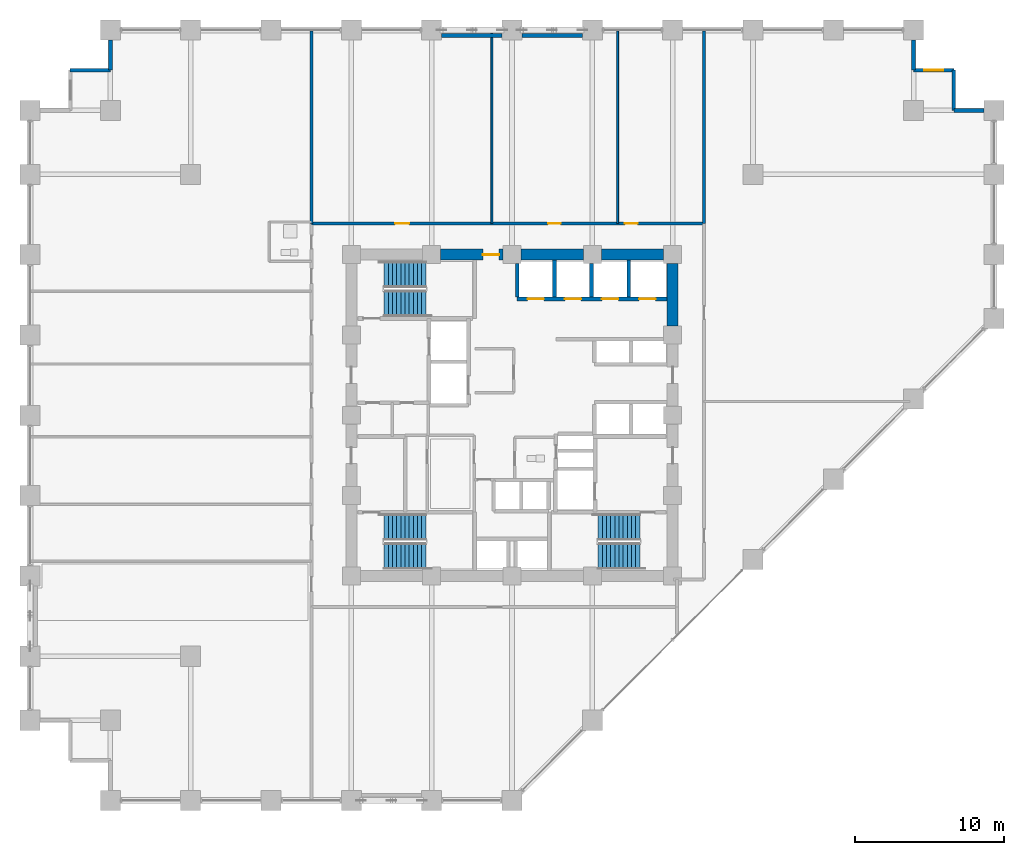
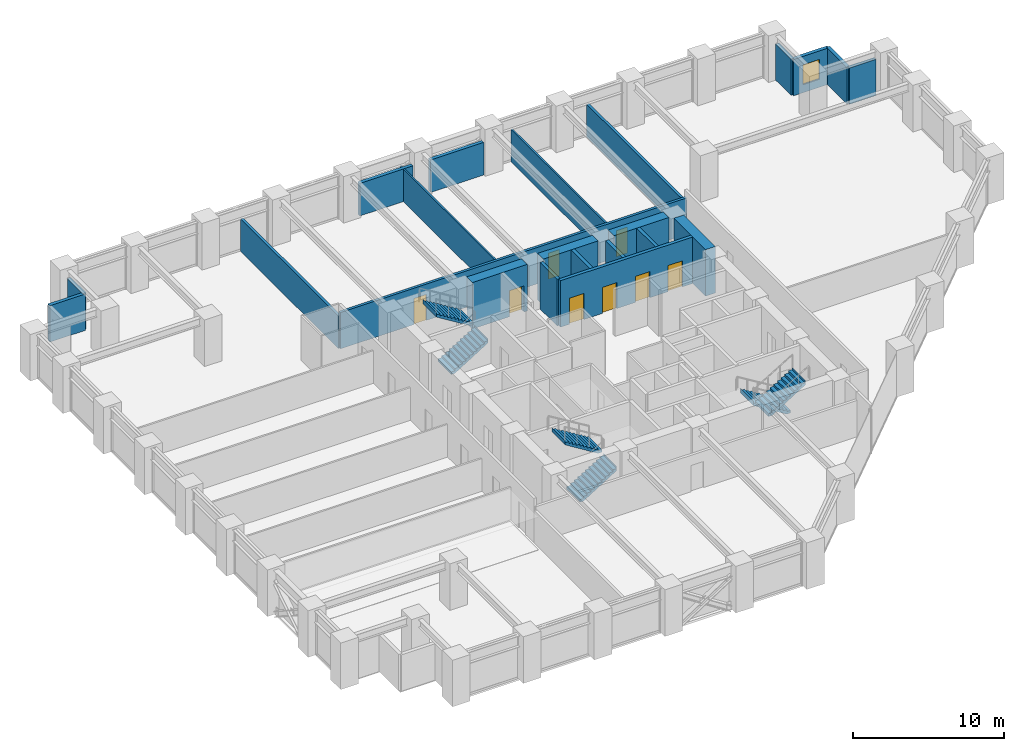
# One storey, part 22 of 25: 22 walls, 8 doors, 6 stair flights, 1 window, 9 openings, 3 elements without a shape of their own.
"""IFC4 building model written with IfcOpenShell, lengths in metres."""

from ifc_helpers import new_model, si_unit, direction, frame, frame_2d, origin, place, context, subcontext, project, spatial, polyline, rectangle, outline, extrude, material, layer, layer_set, type_object, element, fill, aggregate, save


model = new_model("IFC4")

# Units and contexts
model_context = context("Model", 3, precision=1e-05, world=origin(), true_north=direction((0.0, 1.0)))
body_context = subcontext(model_context, "Body", "Model", "MODEL_VIEW")
ifc_project = project(units=[si_unit("LENGTHUNIT", "METRE"), si_unit("AREAUNIT", "SQUARE_METRE"), si_unit("VOLUMEUNIT", "CUBIC_METRE"), si_unit("PLANEANGLEUNIT", "RADIAN"), si_unit("MASSUNIT", "GRAM", prefix="KILO")], contexts=[model_context])

# Site, building, storey
site_placement = place(None, origin())
site = spatial("IfcSite", under=ifc_project, at=site_placement, CompositionType="ELEMENT")
building_placement = place(site_placement, origin())
building = spatial("IfcBuilding", under=site, at=building_placement, Name="Surkhivell Harbour Commons", CompositionType="ELEMENT")
storey_placement = place(building_placement, frame((0.0, 0.0, 41.25)))
storey = spatial("IfcBuildingStorey", under=building, at=storey_placement, Name="L10", CompositionType="ELEMENT", Elevation=41.25)

# Wall, opening, door
ifc_material_1 = material(Name="Concrete C60/75", Category="concrete")
ifc_layer_1 = layer(ifc_material_1, 0.75)
ifc_layer_set_1 = layer_set([ifc_layer_1], Name="Concrete C60/75")
wall_type_1 = type_object("IfcWallType", Name="WAL-CORE-750", PredefinedType="SHEAR", material=ifc_layer_set_1)
wall_1_placement = place(storey_placement, frame((-4.7900390625, 10.800048828125, 0.0), z_axis=(0.0, 0.0, 1.0), x_axis=(1.0, 0.0, 0.0)))
wall_1 = element("IfcWall", 1, at=wall_1_placement, inside=storey, type_object=wall_type_1, Name="L10 Core Shear Wall North 2", PredefinedType="SHEAR", context=body_context, shape_type="SweptSolid", body=[
    extrude(rectangle(XDim=4.179931640625, YDim=0.75, at=frame_2d((2.08984375, 0.0))), origin(), (0.0, 0.0, 1.0), 3.75),
])
opening_1_placement = place(wall_1_placement, frame((2.830078125, 0.0, 0.0)))
opening_1 = element("IfcOpeningElement", 2, at=opening_1_placement, cuts=wall_1, Name="Opening ID-2", PredefinedType="OPENING", context=body_context, shape_type="SweptSolid", body=[
    extrude(rectangle(XDim=1.10009765625, YDim=2.10009765625, at=frame_2d((0.550048828125, 1.050048828125))), frame((0.0, 0.385009765625, 0.0), z_axis=(0.0, -1.0, 0.0), x_axis=(1.0, 0.0, 0.0)), (0.0, 0.0, 1.0), 0.77001953125),
])
ifc_material_2 = material(Name="Hardwood-veneered fire-rated door leaf", Category="wood")
door_type_1 = type_object("IfcDoorType", Name="DOR-FD60-1100", OperationType="NOTDEFINED", PredefinedType="DOOR", material=ifc_material_2)
door_1_placement = place(opening_1_placement, origin())
door_1 = element("IfcDoor", 3, at=door_1_placement, inside=storey, type_object=door_type_1, Name="L10 Central Core Lift Hall North Corridor Door", OperationType="SINGLE_SWING_LEFT", OverallHeight=2.10009765625, OverallWidth=1.10009765625, PredefinedType="DOOR", context=body_context, shape_type="SweptSolid", body=[
    extrude(rectangle(XDim=1.10009765625, YDim=2.10009765625, at=frame_2d((0.550048828125, 1.050048828125))), frame((0.0, 0.02490234375, 0.0), z_axis=(0.0, -1.0, 0.0), x_axis=(1.0, 0.0, 0.0)), (0.0, 0.0, 1.0), 0.050048828125),
])
fill(opening_1, door_1)

# Walls
for number, where, z_axis, x_axis, name in (
    (4, (0.610107421875, 10.800048828125, 0.0), (0.0, 0.0, 1.0), (1.0, 0.0, 0.0), "L10 Core Shear Wall North 3"),
    (5, (6.010009765625, 10.800048828125, 0.0), (0.0, 0.0, 1.0), (1.0, 0.0, 0.0), "L10 Core Shear Wall North 4"),
    (6, (10.800048828125, 6.010009765625, 0.0), (0.0, 0.0, 1.0), (0.0, 1.0, 0.0), "L10 Core Shear Wall East 4"),
):
    element("IfcWall", number, at=place(storey_placement, frame(where, z_axis=z_axis, x_axis=x_axis)), inside=storey, type_object=wall_type_1, Name=name, PredefinedType="SHEAR", context=body_context, shape_type="SweptSolid", body=[
        extrude(rectangle(XDim=4.179931640625, YDim=0.75, at=frame_2d((2.08984375, 0.0))), origin(), (0.0, 0.0, 1.0), 3.75),
    ])
ifc_material_3 = material(Name="Pale-metal insulated precast concrete C45/55", Category="concrete")
ifc_layer_2 = layer(ifc_material_3, 0.260009765625)
ifc_layer_set_2 = layer_set([ifc_layer_2], Name="Pale-metal insulated precast concrete C45/55")
wall_type_2 = type_object("IfcWallType", Name="WAL-EXT-MTL260", PredefinedType="STANDARD", material=ifc_layer_set_2)
wall_2_placement = place(storey_placement, frame((31.72705078125, 20.5, 0.0), z_axis=(0.0, 0.0, 1.0), x_axis=(-1.0, 0.0, 0.0)))
element("IfcWall", 7, at=wall_2_placement, inside=storey, type_object=wall_type_2, Name="L10 Serrated Corner Facade Wall 03", PredefinedType="STANDARD", context=body_context, shape_type="SweptSolid", body=[
    extrude(rectangle(XDim=2.027099609375, YDim=0.260009765625, at=frame_2d((1.013671875, 0.0))), origin(), (0.0, 0.0, 1.0), 2.929931640625),
])
wall_3_placement = place(storey_placement, frame((29.699951171875, 20.5, 0.0), z_axis=(0.0, 0.0, 1.0), x_axis=(0.0, 1.0, 0.0)))
element("IfcWall", 8, at=wall_3_placement, inside=storey, type_object=wall_type_2, Name="L10 Serrated Corner Facade Wall 04", PredefinedType="STANDARD", context=body_context, shape_type="SweptSolid", body=[
    extrude(rectangle(XDim=2.699951171875, YDim=0.260009765625, at=frame_2d((1.35009765625, 0.0))), origin(), (0.0, 0.0, 1.0), 2.929931640625),
])

# Wall, opening, window
wall_4_placement = place(storey_placement, frame((29.699951171875, 23.199951171875, 0.0), z_axis=(0.0, 0.0, 1.0), x_axis=(-1.0, 0.0, 0.0)))
wall_4 = element("IfcWall", 9, at=wall_4_placement, inside=storey, type_object=wall_type_2, Name="L10 Serrated Corner Facade Wall 05", PredefinedType="STANDARD", context=body_context, shape_type="SweptSolid", body=[
    extrude(rectangle(XDim=2.699951171875, YDim=0.260009765625, at=frame_2d((1.35009765625, 0.0))), origin(), (0.0, 0.0, 1.0), 2.929931640625),
])
opening_2_placement = place(wall_4_placement, frame((0.72509765625, 0.0, 0.64990234375)))
opening_2 = element("IfcOpeningElement", 10, at=opening_2_placement, cuts=wall_4, Name="Opening WN-09", PredefinedType="OPENING", context=body_context, shape_type="SweptSolid", body=[
    extrude(rectangle(XDim=1.25, YDim=1.60009765625, at=frame_2d((0.625, 0.800048828125))), frame((0.0, 0.139892578125, 0.0), z_axis=(0.0, -1.0, 0.0), x_axis=(1.0, 0.0, 0.0)), (0.0, 0.0, 1.0), 0.280029296875),
])
ifc_material_4 = material(Name="Thermal-break aluminium frame and double low-E glazing", Category="aluminium")
window_type = type_object("IfcWindowType", Name="WIN-SER-1250x1600", PartitioningType="SINGLE_PANEL", PredefinedType="WINDOW", material=ifc_material_4)
window_placement = place(opening_2_placement, origin())
window = element("IfcWindow", 11, at=window_placement, inside=storey, type_object=window_type, Name="L10 Serrated Alcove Window 05", OverallHeight=1.60009765625, OverallWidth=1.25, PartitioningType="SINGLE_PANEL", PredefinedType="WINDOW", context=body_context, shape_type="SweptSolid", body=[
    extrude(rectangle(XDim=1.25, YDim=1.60009765625, at=frame_2d((0.625, 0.800048828125))), frame((0.0, 0.030029296875, 0.0), z_axis=(0.0, -1.0, 0.0), x_axis=(1.0, 0.0, 0.0)), (0.0, 0.0, 1.0), 0.06005859375),
])
fill(opening_2, window)

# Walls
wall_5_placement = place(storey_placement, frame((27.0, 23.199951171875, 0.0), z_axis=(0.0, 0.0, 1.0), x_axis=(0.0, 1.0, 0.0)))
element("IfcWall", 12, at=wall_5_placement, inside=storey, type_object=wall_type_2, Name="L10 Serrated Corner Facade Wall 06", PredefinedType="STANDARD", context=body_context, shape_type="SweptSolid", body=[
    extrude(rectangle(XDim=2.027099609375, YDim=0.260009765625, at=frame_2d((1.013671875, 0.0))), origin(), (0.0, 0.0, 1.0), 2.929931640625),
])
for number, where, z_axis, x_axis, name in (
    (13, (-0.673095703125, 25.5400390625, 0.0), (0.0, 0.0, 1.0), (-1.0, 0.0, 0.0), "L10 Braced-Bay Insulated Spandrel Backing N"),
    (14, (4.72705078125, 25.5400390625, 0.0), (0.0, 0.0, 1.0), (-1.0, 0.0, 0.0), "L10 Braced-Bay Insulated Spandrel Backing N2"),
):
    element("IfcWall", number, at=place(storey_placement, frame(where, z_axis=z_axis, x_axis=x_axis)), inside=storey, type_object=wall_type_2, Name=name, PredefinedType="STANDARD", context=body_context, shape_type="SweptSolid", body=[
        extrude(rectangle(XDim=4.053955078125, YDim=0.260009765625, at=frame_2d((2.02685546875, 0.0))), origin(), (0.0, 0.0, 1.0), 2.62890625),
    ])
wall_6_placement = place(storey_placement, frame((-27.0, 25.22705078125, 0.0), z_axis=(0.0, 0.0, 1.0), x_axis=(0.0, -1.0, 0.0)))
element("IfcWall", 15, at=wall_6_placement, inside=storey, type_object=wall_type_2, Name="L10 Serrated Corner Facade Wall 08", PredefinedType="STANDARD", context=body_context, shape_type="SweptSolid", body=[
    extrude(rectangle(XDim=2.027099609375, YDim=0.260009765625, at=frame_2d((1.013671875, 0.0))), origin(), (0.0, 0.0, 1.0), 2.929931640625),
])
wall_7_placement = place(storey_placement, frame((-27.0, 23.199951171875, 0.0), z_axis=(0.0, 0.0, 1.0), x_axis=(-1.0, 0.0, 0.0)))
element("IfcWall", 16, at=wall_7_placement, inside=storey, type_object=wall_type_2, Name="L10 Serrated Corner Facade Wall 09", PredefinedType="STANDARD", context=body_context, shape_type="SweptSolid", body=[
    extrude(rectangle(XDim=2.699951171875, YDim=0.260009765625, at=frame_2d((1.35009765625, 0.0))), origin(), (0.0, 0.0, 1.0), 2.929931640625),
])
ifc_material_5 = material(Name="Moisture-resistant acoustic stud partition", Category="other")
ifc_layer_3 = layer(ifc_material_5, 0.125)
ifc_layer_set_3 = layer_set([ifc_layer_3], Name="Moisture-resistant acoustic stud partition")
wall_type_3 = type_object("IfcWallType", Name="WAL-INT-125", PredefinedType="PARTITIONING", material=ifc_layer_set_3)
for number, where, z_axis, x_axis, name in (
    (17, (-1.35009765625, 12.89990234375, 0.0), (0.0, 0.0, 1.0), (0.0, 1.0, 0.0), "L10 North Partition P1"),
    (18, (7.10009765625, 12.89990234375, 0.0), (0.0, 0.0, 1.0), (0.0, 1.0, 0.0), "L10 North Partition P2"),
):
    element("IfcWall", number, at=place(storey_placement, frame(where, z_axis=z_axis, x_axis=x_axis)), inside=storey, type_object=wall_type_3, Name=name, PredefinedType="PARTITIONING", context=body_context, shape_type="SweptSolid", body=[
        extrude(rectangle(XDim=12.940185546875, YDim=0.125, at=frame_2d((6.47021484375, 0.0))), origin(), (0.0, 0.0, 1.0), 2.62890625),
    ])
ifc_material_6 = material(Name="Autoclaved aerated concrete blockwork and fire plaster", Category="masonry")
ifc_layer_4 = layer(ifc_material_6, 0.199951171875)
ifc_layer_set_4 = layer_set([ifc_layer_4], Name="Autoclaved aerated concrete blockwork and fire plaster")
wall_type_4 = type_object("IfcWallType", Name="WAL-INT-200", PredefinedType="PARTITIONING", material=ifc_layer_set_4)
for number, where, z_axis, x_axis, name in (
    (19, (12.89990234375, 12.89990234375, 0.0), (0.0, 0.0, 1.0), (0.0, 1.0, 0.0), "L10 North-East Wing Corner Divider"),
    (20, (-13.47998046875, 12.89990234375, 0.0), (0.0, 0.0, 1.0), (0.0, 1.0, 0.0), "L10 North-West Wing Corner Divider"),
):
    element("IfcWall", number, at=place(storey_placement, frame(where, z_axis=z_axis, x_axis=x_axis)), inside=storey, type_object=wall_type_4, Name=name, PredefinedType="PARTITIONING", context=body_context, shape_type="SweptSolid", body=[
        extrude(rectangle(XDim=12.940185546875, YDim=0.199951171875, at=frame_2d((6.47021484375, 0.0))), origin(), (0.0, 0.0, 1.0), 2.62890625),
    ])

# Wall, openings, doors
wall_8_placement = place(storey_placement, frame((-13.47998046875, 12.89990234375, 0.0), z_axis=(0.0, 0.0, 1.0), x_axis=(1.0, 0.0, 0.0)))
wall_8 = element("IfcWall", 21, at=wall_8_placement, inside=storey, type_object=wall_type_4, Name="L10 Corridor North Wall", PredefinedType="PARTITIONING", context=body_context, shape_type="SweptSolid", body=[
    extrude(rectangle(XDim=26.3798828125, YDim=0.199951171875, at=frame_2d((13.18994140625, 0.0))), origin(), (0.0, 0.0, 1.0), 2.929931640625),
])
opening_3_placement = place(wall_8_placement, frame((5.614990234375, 0.0, 0.0)))
opening_3 = element("IfcOpeningElement", 22, at=opening_3_placement, cuts=wall_8, Name="Opening ID-4", PredefinedType="OPENING", context=body_context, shape_type="SweptSolid", body=[
    extrude(rectangle(XDim=0.949951171875, YDim=2.10009765625, at=frame_2d((0.47509765625, 1.050048828125))), frame((0.0, 0.10986328125, 0.0), z_axis=(0.0, -1.0, 0.0), x_axis=(1.0, 0.0, 0.0)), (0.0, 0.0, 1.0), 0.219970703125),
])
opening_4_placement = place(wall_8_placement, frame((15.905029296875, 0.0, 0.0)))
opening_4 = element("IfcOpeningElement", 23, at=opening_4_placement, cuts=wall_8, Name="Opening ID-6", PredefinedType="OPENING", context=body_context, shape_type="SweptSolid", body=[
    extrude(rectangle(XDim=0.85009765625, YDim=2.10009765625, at=frame_2d((0.425048828125, 1.050048828125))), frame((0.0, 0.10986328125, 0.0), z_axis=(0.0, -1.0, 0.0), x_axis=(1.0, 0.0, 0.0)), (0.0, 0.0, 1.0), 0.219970703125),
])
opening_5_placement = place(wall_8_placement, frame((21.069091796875, 0.0, 0.0)))
opening_5 = element("IfcOpeningElement", 24, at=opening_5_placement, cuts=wall_8, Name="Opening ID-6", PredefinedType="OPENING", context=body_context, shape_type="SweptSolid", body=[
    extrude(rectangle(XDim=0.85009765625, YDim=2.10009765625, at=frame_2d((0.425048828125, 1.050048828125))), frame((0.0, 0.10986328125, 0.0), z_axis=(0.0, -1.0, 0.0), x_axis=(1.0, 0.0, 0.0)), (0.0, 0.0, 1.0), 0.219970703125),
])
door_type_2 = type_object("IfcDoorType", Name="DOR-FD30-850", OperationType="NOTDEFINED", PredefinedType="DOOR", material=ifc_material_2)
door_2_placement = place(opening_4_placement, origin())
door_2 = element("IfcDoor", 25, at=door_2_placement, inside=storey, type_object=door_type_2, Name="L10 Harbour Social Lounge North Door", OperationType="SINGLE_SWING_LEFT", OverallHeight=2.10009765625, OverallWidth=0.85009765625, PredefinedType="DOOR", context=body_context, shape_type="SweptSolid", body=[
    extrude(rectangle(XDim=0.85009765625, YDim=2.10009765625, at=frame_2d((0.425048828125, 1.050048828125))), frame((0.0, 0.02490234375, 0.0), z_axis=(0.0, -1.0, 0.0), x_axis=(1.0, 0.0, 0.0)), (0.0, 0.0, 1.0), 0.050048828125),
])
fill(opening_4, door_2)
door_3_placement = place(opening_5_placement, origin())
door_3 = element("IfcDoor", 26, at=door_3_placement, inside=storey, type_object=door_type_2, Name="L10 Resident Social Lounge 3 North Door", OperationType="SINGLE_SWING_RIGHT", OverallHeight=2.10009765625, OverallWidth=0.85009765625, PredefinedType="DOOR", context=body_context, shape_type="SweptSolid", body=[
    extrude(rectangle(XDim=0.85009765625, YDim=2.10009765625, at=frame_2d((0.425048828125, 1.050048828125))), frame((0.0, 0.02490234375, 0.0), z_axis=(0.0, -1.0, 0.0), x_axis=(1.0, 0.0, 0.0)), (0.0, 0.0, 1.0), 0.050048828125),
])
fill(opening_5, door_3)
door_type_3 = type_object("IfcDoorType", Name="DOR-FD60-950", OperationType="NOTDEFINED", PredefinedType="DOOR", material=ifc_material_2)
door_4_placement = place(opening_3_placement, origin())
door_4 = element("IfcDoor", 27, at=door_4_placement, inside=storey, type_object=door_type_3, Name="L10 Harbour Social Lounge North Door", OperationType="SINGLE_SWING_RIGHT", OverallHeight=2.10009765625, OverallWidth=0.949951171875, PredefinedType="DOOR", context=body_context, shape_type="SweptSolid", body=[
    extrude(rectangle(XDim=0.949951171875, YDim=2.10009765625, at=frame_2d((0.47509765625, 1.050048828125))), frame((0.0, 0.02490234375, 0.0), z_axis=(0.0, -1.0, 0.0), x_axis=(1.0, 0.0, 0.0)), (0.0, 0.0, 1.0), 0.050048828125),
])
fill(opening_3, door_4)

# Walls
ifc_material_7 = material(Name="Concrete C50/60", Category="concrete")
ifc_layer_5 = layer(ifc_material_7, 0.25)
ifc_layer_set_5 = layer_set([ifc_layer_5], Name="Concrete C50/60")
wall_type_5 = type_object("IfcWallType", Name="WAL-SHAFT-250", PredefinedType="SHEAR", material=ifc_layer_set_5)
wall_9_placement = place(storey_placement, frame((2.85009765625, 7.93994140625, 0.0), z_axis=(0.0, 0.0, 1.0), x_axis=(0.0, 1.0, 0.0)))
element("IfcWall", 28, at=wall_9_placement, inside=storey, type_object=wall_type_5, Name="L10 Low-Rise Hoistway Wall", PredefinedType="SHEAR", context=body_context, shape_type="SweptSolid", body=[
    extrude(rectangle(XDim=2.485107421875, YDim=0.25, at=frame_2d((1.24267578125, 0.0))), origin(), (0.0, 0.0, 1.0), 3.75),
])
for number, where, z_axis, x_axis, name in (
    (29, (0.35009765625, 7.93994140625, 0.0), (0.0, 0.0, 1.0), (0.0, 1.0, 0.0), "L10 Low-Rise Hoistway Wall"),
    (30, (5.35009765625, 7.93994140625, 0.0), (0.0, 0.0, 1.0), (0.0, 1.0, 0.0), "L10 Low-Rise Hoistway Wall"),
):
    element("IfcWall", number, at=place(storey_placement, frame(where, z_axis=z_axis, x_axis=x_axis)), inside=storey, type_object=wall_type_5, Name=name, PredefinedType="SHEAR", context=body_context, shape_type="SweptSolid", body=[
        extrude(rectangle(XDim=2.260009765625, YDim=0.25, at=frame_2d((1.1298828125, 0.0))), origin(), (0.0, 0.0, 1.0), 3.75),
    ])
wall_10_placement = place(storey_placement, frame((7.85009765625, 7.93994140625, 0.0), z_axis=(0.0, 0.0, 1.0), x_axis=(0.0, 1.0, 0.0)))
element("IfcWall", 31, at=wall_10_placement, inside=storey, type_object=wall_type_5, Name="L10 Low-Rise Hoistway Wall", PredefinedType="SHEAR", context=body_context, shape_type="SweptSolid", body=[
    extrude(rectangle(XDim=2.485107421875, YDim=0.25, at=frame_2d((1.24267578125, 0.0))), origin(), (0.0, 0.0, 1.0), 3.75),
])

# Wall, openings, doors
wall_11_placement = place(storey_placement, frame((0.35009765625, 7.820068359375, 0.0), z_axis=(0.0, 0.0, 1.0), x_axis=(1.0, 0.0, 0.0)))
wall_11 = element("IfcWall", 32, at=wall_11_placement, inside=storey, type_object=wall_type_5, Name="L10 Low-Rise Lift Front Shaft Wall", PredefinedType="SHEAR", context=body_context, shape_type="SweptSolid", body=[
    extrude(rectangle(XDim=10.074951171875, YDim=0.25, at=frame_2d((5.03759765625, 0.0))), origin(), (0.0, 0.0, 1.0), 3.75),
])
opening_6_placement = place(wall_11_placement, frame((0.699951171875, 0.0, 0.0)))
opening_6 = element("IfcOpeningElement", 33, at=opening_6_placement, cuts=wall_11, Name="Opening LD-1", PredefinedType="OPENING", context=body_context, shape_type="SweptSolid", body=[
    extrude(rectangle(XDim=1.10009765625, YDim=2.10009765625, at=frame_2d((0.550048828125, 1.050048828125))), frame((0.0, 0.135009765625, 0.0), z_axis=(0.0, -1.0, 0.0), x_axis=(1.0, 0.0, 0.0)), (0.0, 0.0, 1.0), 0.27001953125),
])
opening_7_placement = place(wall_11_placement, frame((3.199951171875, 0.0, 0.0)))
opening_7 = element("IfcOpeningElement", 34, at=opening_7_placement, cuts=wall_11, Name="Opening LD-1", PredefinedType="OPENING", context=body_context, shape_type="SweptSolid", body=[
    extrude(rectangle(XDim=1.10009765625, YDim=2.10009765625, at=frame_2d((0.550048828125, 1.050048828125))), frame((0.0, 0.135009765625, 0.0), z_axis=(0.0, -1.0, 0.0), x_axis=(1.0, 0.0, 0.0)), (0.0, 0.0, 1.0), 0.27001953125),
])
opening_8_placement = place(wall_11_placement, frame((5.699951171875, 0.0, 0.0)))
opening_8 = element("IfcOpeningElement", 35, at=opening_8_placement, cuts=wall_11, Name="Opening LD-1", PredefinedType="OPENING", context=body_context, shape_type="SweptSolid", body=[
    extrude(rectangle(XDim=1.10009765625, YDim=2.10009765625, at=frame_2d((0.550048828125, 1.050048828125))), frame((0.0, 0.135009765625, 0.0), z_axis=(0.0, -1.0, 0.0), x_axis=(1.0, 0.0, 0.0)), (0.0, 0.0, 1.0), 0.27001953125),
])
opening_9_placement = place(wall_11_placement, frame((8.199951171875, 0.0, 0.0)))
opening_9 = element("IfcOpeningElement", 36, at=opening_9_placement, cuts=wall_11, Name="Opening LD-1", PredefinedType="OPENING", context=body_context, shape_type="SweptSolid", body=[
    extrude(rectangle(XDim=1.10009765625, YDim=2.10009765625, at=frame_2d((0.550048828125, 1.050048828125))), frame((0.0, 0.135009765625, 0.0), z_axis=(0.0, -1.0, 0.0), x_axis=(1.0, 0.0, 0.0)), (0.0, 0.0, 1.0), 0.27001953125),
])
ifc_material_8 = material(Name="Brushed stainless steel S355", Category="steel")
door_type_4 = type_object("IfcDoorType", Name="DOR-LD-1100", OperationType="SLIDING_TO_LEFT", PredefinedType="DOOR", material=ifc_material_8)
door_5_placement = place(opening_6_placement, origin())
door_5 = element("IfcDoor", 37, at=door_5_placement, inside=storey, type_object=door_type_4, Name="L10 Lift Landing Door LD-PL1", OperationType="SLIDING_TO_LEFT", OverallHeight=2.10009765625, OverallWidth=1.10009765625, PredefinedType="DOOR", context=body_context, shape_type="SweptSolid", body=[
    extrude(rectangle(XDim=1.10009765625, YDim=2.10009765625, at=frame_2d((0.550048828125, 1.050048828125))), frame((0.0, 0.02490234375, 0.0), z_axis=(0.0, -1.0, 0.0), x_axis=(1.0, 0.0, 0.0)), (0.0, 0.0, 1.0), 0.050048828125),
])
fill(opening_6, door_5)
door_6_placement = place(opening_7_placement, origin())
door_6 = element("IfcDoor", 38, at=door_6_placement, inside=storey, type_object=door_type_4, Name="L10 Lift Landing Door LD-PL2", OperationType="SLIDING_TO_LEFT", OverallHeight=2.10009765625, OverallWidth=1.10009765625, PredefinedType="DOOR", context=body_context, shape_type="SweptSolid", body=[
    extrude(rectangle(XDim=1.10009765625, YDim=2.10009765625, at=frame_2d((0.550048828125, 1.050048828125))), frame((0.0, 0.02490234375, 0.0), z_axis=(0.0, -1.0, 0.0), x_axis=(1.0, 0.0, 0.0)), (0.0, 0.0, 1.0), 0.050048828125),
])
fill(opening_7, door_6)
door_7_placement = place(opening_8_placement, origin())
door_7 = element("IfcDoor", 39, at=door_7_placement, inside=storey, type_object=door_type_4, Name="L10 Lift Landing Door LD-PL3", OperationType="SLIDING_TO_LEFT", OverallHeight=2.10009765625, OverallWidth=1.10009765625, PredefinedType="DOOR", context=body_context, shape_type="SweptSolid", body=[
    extrude(rectangle(XDim=1.10009765625, YDim=2.10009765625, at=frame_2d((0.550048828125, 1.050048828125))), frame((0.0, 0.02490234375, 0.0), z_axis=(0.0, -1.0, 0.0), x_axis=(1.0, 0.0, 0.0)), (0.0, 0.0, 1.0), 0.050048828125),
])
fill(opening_8, door_7)
door_8_placement = place(opening_9_placement, origin())
door_8 = element("IfcDoor", 40, at=door_8_placement, inside=storey, type_object=door_type_4, Name="L10 Lift Landing Door LD-PL4", OperationType="SLIDING_TO_LEFT", OverallHeight=2.10009765625, OverallWidth=1.10009765625, PredefinedType="DOOR", context=body_context, shape_type="SweptSolid", body=[
    extrude(rectangle(XDim=1.10009765625, YDim=2.10009765625, at=frame_2d((0.550048828125, 1.050048828125))), frame((0.0, 0.02490234375, 0.0), z_axis=(0.0, -1.0, 0.0), x_axis=(1.0, 0.0, 0.0)), (0.0, 0.0, 1.0), 0.050048828125),
])
fill(opening_9, door_8)

# Stair, stair flights
ifc_material_9 = material(Name="Precast concrete C45/55", Category="concrete")
stair_type = type_object("IfcStairType", Name="STR-DL-375", PredefinedType="HALF_TURN_STAIR", material=ifc_material_9)
stair_1_placement = place(storey_placement, origin())
stair_1 = element("IfcStair", 41, at=stair_1_placement, inside=storey, type_object=stair_type, Name="L10 Core Exit Stair ST1", PredefinedType="HALF_TURN_STAIR")
stair_flight_type = type_object("IfcStairFlightType", Name="STF-DL-375", PredefinedType="STRAIGHT", material=ifc_material_9)
stair_flight_1_placement = place(storey_placement, frame((-8.590087890625, 7.514892578125, 0.0), z_axis=(0.0, 0.0, 1.0), x_axis=(1.0, 0.0, 0.0)))
stair_flight_1 = element("IfcStairFlight", 42, at=stair_flight_1_placement, type_object=stair_flight_type, Name="ST1 flight 1", NumberOfRisers=11, NumberOfTreads=10, PredefinedType="STRAIGHT", RiserHeight=0.170454545, TreadLength=0.28, context=body_context, shape_type="SweptSolid", body=[
    extrude(outline(polyline([(-0.0029296875, -0.034912109375), (-0.0029296875, 0.0), (0.0, 0.0), (0.0, 0.17041015625), (0.280029296875, 0.17041015625), (0.280029296875, 0.3408203125), (0.56005859375, 0.3408203125), (0.56005859375, 0.511474609375), (0.840087890625, 0.511474609375), (0.840087890625, 0.681884765625), (1.1201171875, 0.681884765625), (1.1201171875, 0.852294921875), (1.39990234375, 0.852294921875), (1.39990234375, 1.022705078125), (1.679931640625, 1.022705078125), (1.679931640625, 1.193115234375), (1.9599609375, 1.193115234375), (1.9599609375, 1.363525390625), (2.239990234375, 1.363525390625), (2.239990234375, 1.5341796875), (2.52001953125, 1.5341796875), (2.52001953125, 1.70458984375), (2.800048828125, 1.70458984375), (2.800048828125, 1.875), (2.802978515625, 1.875), (2.802978515625, 1.529052734375), (0.288330078125, -0.034912109375), (-0.0029296875, -0.034912109375)])), frame((0.0, 0.875, 0.0), z_axis=(0.0, -1.0, 0.0), x_axis=(1.0, 0.0, 0.0)), (0.0, 0.0, 1.0), 1.75),
])
stair_flight_2_placement = place(storey_placement, frame((-5.7900390625, 9.465087890625, 1.875), z_axis=(0.0, 0.0, 1.0), x_axis=(-1.0, 0.0, 0.0)))
stair_flight_2 = element("IfcStairFlight", 43, at=stair_flight_2_placement, type_object=stair_flight_type, Name="ST1 flight 2", NumberOfRisers=11, NumberOfTreads=10, PredefinedType="STRAIGHT", RiserHeight=0.170454545, TreadLength=0.28, context=body_context, shape_type="SweptSolid", body=[
    extrude(outline(polyline([(-0.0029296875, -0.034912109375), (-0.0029296875, 0.0), (0.0, 0.0), (0.0, 0.17041015625), (0.280029296875, 0.17041015625), (0.280029296875, 0.3408203125), (0.56005859375, 0.3408203125), (0.56005859375, 0.511474609375), (0.840087890625, 0.511474609375), (0.840087890625, 0.681884765625), (1.1201171875, 0.681884765625), (1.1201171875, 0.852294921875), (1.39990234375, 0.852294921875), (1.39990234375, 1.022705078125), (1.679931640625, 1.022705078125), (1.679931640625, 1.193115234375), (1.9599609375, 1.193115234375), (1.9599609375, 1.363525390625), (2.239990234375, 1.363525390625), (2.239990234375, 1.5341796875), (2.52001953125, 1.5341796875), (2.52001953125, 1.70458984375), (2.800048828125, 1.70458984375), (2.800048828125, 1.875), (2.802978515625, 1.875), (2.802978515625, 1.529052734375), (0.288330078125, -0.034912109375), (-0.0029296875, -0.034912109375)])), frame((0.0, 0.875, 0.0), z_axis=(0.0, -1.0, 0.0), x_axis=(1.0, 0.0, 0.0)), (0.0, 0.0, 1.0), 1.75),
])
aggregate(stair_1, [stair_flight_1, stair_flight_2])

stair_2_placement = place(storey_placement, origin())
stair_2 = element("IfcStair", 44, at=stair_2_placement, inside=storey, type_object=stair_type, Name="L10 Core Exit Stair ST2", PredefinedType="HALF_TURN_STAIR")
stair_flight_3_placement = place(storey_placement, frame((8.590087890625, -7.514892578125, 0.0), z_axis=(0.0, 0.0, 1.0), x_axis=(-1.0, 0.0, 0.0)))
stair_flight_3 = element("IfcStairFlight", 45, at=stair_flight_3_placement, type_object=stair_flight_type, Name="ST2 flight 1", NumberOfRisers=11, NumberOfTreads=10, PredefinedType="STRAIGHT", RiserHeight=0.170454545, TreadLength=0.28, context=body_context, shape_type="SweptSolid", body=[
    extrude(outline(polyline([(-0.0029296875, -0.034912109375), (-0.0029296875, 0.0), (0.0, 0.0), (0.0, 0.17041015625), (0.280029296875, 0.17041015625), (0.280029296875, 0.3408203125), (0.56005859375, 0.3408203125), (0.56005859375, 0.511474609375), (0.840087890625, 0.511474609375), (0.840087890625, 0.681884765625), (1.1201171875, 0.681884765625), (1.1201171875, 0.852294921875), (1.39990234375, 0.852294921875), (1.39990234375, 1.022705078125), (1.679931640625, 1.022705078125), (1.679931640625, 1.193115234375), (1.9599609375, 1.193115234375), (1.9599609375, 1.363525390625), (2.239990234375, 1.363525390625), (2.239990234375, 1.5341796875), (2.52001953125, 1.5341796875), (2.52001953125, 1.70458984375), (2.800048828125, 1.70458984375), (2.800048828125, 1.875), (2.802978515625, 1.875), (2.802978515625, 1.529052734375), (0.288330078125, -0.034912109375), (-0.0029296875, -0.034912109375)])), frame((0.0, 0.875, 0.0), z_axis=(0.0, -1.0, 0.0), x_axis=(1.0, 0.0, 0.0)), (0.0, 0.0, 1.0), 1.75),
])
stair_flight_4_placement = place(storey_placement, frame((5.7900390625, -9.465087890625, 1.875), z_axis=(0.0, 0.0, 1.0), x_axis=(1.0, 0.0, 0.0)))
stair_flight_4 = element("IfcStairFlight", 46, at=stair_flight_4_placement, type_object=stair_flight_type, Name="ST2 flight 2", NumberOfRisers=11, NumberOfTreads=10, PredefinedType="STRAIGHT", RiserHeight=0.170454545, TreadLength=0.28, context=body_context, shape_type="SweptSolid", body=[
    extrude(outline(polyline([(-0.0029296875, -0.034912109375), (-0.0029296875, 0.0), (0.0, 0.0), (0.0, 0.17041015625), (0.280029296875, 0.17041015625), (0.280029296875, 0.3408203125), (0.56005859375, 0.3408203125), (0.56005859375, 0.511474609375), (0.840087890625, 0.511474609375), (0.840087890625, 0.681884765625), (1.1201171875, 0.681884765625), (1.1201171875, 0.852294921875), (1.39990234375, 0.852294921875), (1.39990234375, 1.022705078125), (1.679931640625, 1.022705078125), (1.679931640625, 1.193115234375), (1.9599609375, 1.193115234375), (1.9599609375, 1.363525390625), (2.239990234375, 1.363525390625), (2.239990234375, 1.5341796875), (2.52001953125, 1.5341796875), (2.52001953125, 1.70458984375), (2.800048828125, 1.70458984375), (2.800048828125, 1.875), (2.802978515625, 1.875), (2.802978515625, 1.529052734375), (0.288330078125, -0.034912109375), (-0.0029296875, -0.034912109375)])), frame((0.0, 0.875, 0.0), z_axis=(0.0, -1.0, 0.0), x_axis=(1.0, 0.0, 0.0)), (0.0, 0.0, 1.0), 1.75),
])
aggregate(stair_2, [stair_flight_3, stair_flight_4])

stair_3_placement = place(storey_placement, origin())
stair_3 = element("IfcStair", 47, at=stair_3_placement, inside=storey, type_object=stair_type, Name="L10 Core Exit Stair ST3", PredefinedType="HALF_TURN_STAIR")
stair_flight_5_placement = place(storey_placement, frame((-8.590087890625, -9.465087890625, 0.0), z_axis=(0.0, 0.0, 1.0), x_axis=(1.0, 0.0, 0.0)))
stair_flight_5 = element("IfcStairFlight", 48, at=stair_flight_5_placement, type_object=stair_flight_type, Name="ST3 flight 1", NumberOfRisers=11, NumberOfTreads=10, PredefinedType="STRAIGHT", RiserHeight=0.170454545, TreadLength=0.28, context=body_context, shape_type="SweptSolid", body=[
    extrude(outline(polyline([(-0.0029296875, -0.034912109375), (-0.0029296875, 0.0), (0.0, 0.0), (0.0, 0.17041015625), (0.280029296875, 0.17041015625), (0.280029296875, 0.3408203125), (0.56005859375, 0.3408203125), (0.56005859375, 0.511474609375), (0.840087890625, 0.511474609375), (0.840087890625, 0.681884765625), (1.1201171875, 0.681884765625), (1.1201171875, 0.852294921875), (1.39990234375, 0.852294921875), (1.39990234375, 1.022705078125), (1.679931640625, 1.022705078125), (1.679931640625, 1.193115234375), (1.9599609375, 1.193115234375), (1.9599609375, 1.363525390625), (2.239990234375, 1.363525390625), (2.239990234375, 1.5341796875), (2.52001953125, 1.5341796875), (2.52001953125, 1.70458984375), (2.800048828125, 1.70458984375), (2.800048828125, 1.875), (2.802978515625, 1.875), (2.802978515625, 1.529052734375), (0.288330078125, -0.034912109375), (-0.0029296875, -0.034912109375)])), frame((0.0, 0.875, 0.0), z_axis=(0.0, -1.0, 0.0), x_axis=(1.0, 0.0, 0.0)), (0.0, 0.0, 1.0), 1.75),
])
stair_flight_6_placement = place(storey_placement, frame((-5.7900390625, -7.514892578125, 1.875), z_axis=(0.0, 0.0, 1.0), x_axis=(-1.0, 0.0, 0.0)))
stair_flight_6 = element("IfcStairFlight", 49, at=stair_flight_6_placement, type_object=stair_flight_type, Name="ST3 flight 2", NumberOfRisers=11, NumberOfTreads=10, PredefinedType="STRAIGHT", RiserHeight=0.170454545, TreadLength=0.28, context=body_context, shape_type="SweptSolid", body=[
    extrude(outline(polyline([(-0.0029296875, -0.034912109375), (-0.0029296875, 0.0), (0.0, 0.0), (0.0, 0.17041015625), (0.280029296875, 0.17041015625), (0.280029296875, 0.3408203125), (0.56005859375, 0.3408203125), (0.56005859375, 0.511474609375), (0.840087890625, 0.511474609375), (0.840087890625, 0.681884765625), (1.1201171875, 0.681884765625), (1.1201171875, 0.852294921875), (1.39990234375, 0.852294921875), (1.39990234375, 1.022705078125), (1.679931640625, 1.022705078125), (1.679931640625, 1.193115234375), (1.9599609375, 1.193115234375), (1.9599609375, 1.363525390625), (2.239990234375, 1.363525390625), (2.239990234375, 1.5341796875), (2.52001953125, 1.5341796875), (2.52001953125, 1.70458984375), (2.800048828125, 1.70458984375), (2.800048828125, 1.875), (2.802978515625, 1.875), (2.802978515625, 1.529052734375), (0.288330078125, -0.034912109375), (-0.0029296875, -0.034912109375)])), frame((0.0, 0.875, 0.0), z_axis=(0.0, -1.0, 0.0), x_axis=(1.0, 0.0, 0.0)), (0.0, 0.0, 1.0), 1.75),
])
aggregate(stair_3, [stair_flight_5, stair_flight_6])

save(model, "model.ifc")
